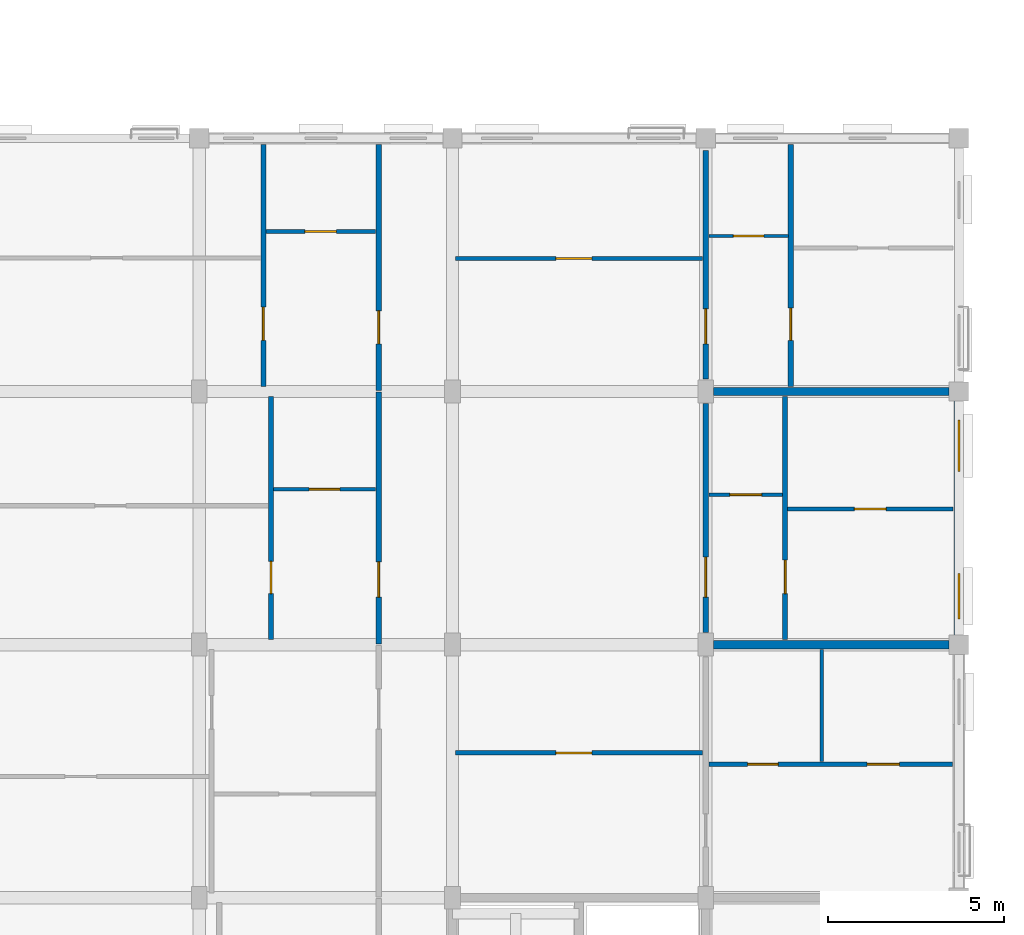
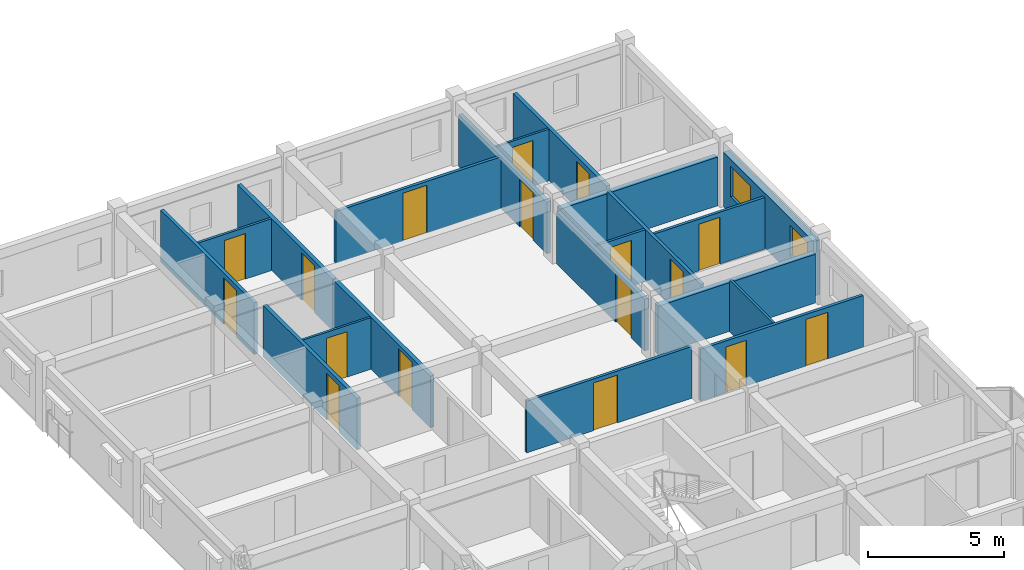
# One storey, part 58 of 75: 20 walls, 17 doors, 2 windows, 19 openings.
"""IFC4 building model written with IfcOpenShell, lengths in metres."""

import ifcopenshell
import ifcopenshell.guid

model = None  # the IFC model being written
_history = None  # IfcOwnerHistory: only IFC2X3 demands one
_inside = {}  # id of a spatial element -> (the spatial element, [elements in it])
_under = {}  # id of a project, library or spatial element -> (it, [spatial elements below it])
_declared = {}  # id of a project -> (the project, [libraries it declares])
_typed = {}  # id of a type object -> (the type object, [elements of that type])
_made_of = {}  # id of a material, layer set ... -> (it, [elements and type objects made of it])


def new_model(schema):
    """Start an empty IFC model of exactly this schema.

    Asked for "IFC4X3", IfcOpenShell would pick the latest addendum, in which some entities
    have other attributes; the version numbers below select the first issue.
    IFC2X3 requires an IfcOwnerHistory on every rooted entity: one is made here for all.
    """
    global model, _history
    if schema == "IFC4X3":
        model = ifcopenshell.file(schema_version=(4, 3, 0, 0))
    else:
        model = ifcopenshell.file(schema=schema)
    _inside.clear()
    _under.clear()
    _declared.clear()
    _typed.clear()
    _made_of.clear()
    _history = None
    if model.schema == "IFC2X3":
        org = make("IfcOrganization", Name="unknown")
        user = make(
            "IfcPersonAndOrganization",
            ThePerson=make("IfcPerson", FamilyName="unknown"),
            TheOrganization=org,
        )
        app = make(
            "IfcApplication",
            ApplicationDeveloper=org,
            Version="unknown",
            ApplicationFullName="unknown",
            ApplicationIdentifier="unknown",
        )
        _history = make(
            "IfcOwnerHistory",
            OwningUser=user,
            OwningApplication=app,
            ChangeAction="ADDED",
            CreationDate=0,
        )
    return model


def make(cls, **values):
    """One entity of the class cls with the attributes given. An attribute that is None is left unset."""
    return model.create_entity(
        cls, **{name: value for name, value in values.items() if value is not None}
    )


def rooted(cls, **values):
    """An entity with a GlobalId (a new one), such as an element, a storey or a relation."""
    return make(cls, GlobalId=ifcopenshell.guid.new(), OwnerHistory=_history, **values)


def si_unit(unit_type, name, prefix=None):
    """IfcSIUnit, for example si_unit("LENGTHUNIT", "METRE", prefix="MILLI")."""
    return make("IfcSIUnit", UnitType=unit_type, Prefix=prefix, Name=name)


def assignment(units):
    """IfcUnitAssignment: the units of a project."""
    return None if units is None else make("IfcUnitAssignment", Units=units)


def point(xyz):
    """IfcCartesianPoint."""
    return None if xyz is None else make("IfcCartesianPoint", Coordinates=xyz)


def direction(xyz):
    """IfcDirection."""
    return None if xyz is None else make("IfcDirection", DirectionRatios=xyz)


def frame(location, z_axis=None, x_axis=None):
    """IfcAxis2Placement3D, a coordinate frame: its origin and axes. An axis left out is left unset."""
    return make(
        "IfcAxis2Placement3D",
        Location=point(location),
        Axis=direction(z_axis),
        RefDirection=direction(x_axis),
    )


def frame_2d(location, x_axis=None):
    """IfcAxis2Placement2D, a coordinate frame in the plane: its origin and x axis."""
    return make(
        "IfcAxis2Placement2D", Location=point(location), RefDirection=direction(x_axis)
    )


def origin():
    """The frame at (0, 0, 0) with its axes left unset."""
    return frame((0.0, 0.0, 0.0))


def place(relative_to, where):
    """IfcLocalPlacement: puts the frame where relative to a parent placement (None: the world)."""
    return make(
        "IfcLocalPlacement", PlacementRelTo=relative_to, RelativePlacement=where
    )


def context(
    kind, dimensions, precision=None, world=None, true_north=None, identifier=None
):
    """IfcGeometricRepresentationContext, for example the 3D "Model" context."""
    return make(
        "IfcGeometricRepresentationContext",
        ContextIdentifier=identifier,
        ContextType=kind,
        CoordinateSpaceDimension=dimensions,
        Precision=precision,
        WorldCoordinateSystem=world,
        TrueNorth=true_north,
    )


def subcontext(parent, identifier, kind, view, scale=None):
    """IfcGeometricRepresentationSubContext, for example "Body" below "Model"."""
    return make(
        "IfcGeometricRepresentationSubContext",
        ContextIdentifier=identifier,
        ContextType=kind,
        ParentContext=parent,
        TargetScale=scale,
        TargetView=view,
    )


def project(units=None, contexts=None):
    """IfcProject with its units and contexts."""
    return rooted(
        "IfcProject",
        Name="project",
        RepresentationContexts=contexts,
        UnitsInContext=assignment(units),
    )


def spatial(cls, under=None, at=None, **own):
    """A site, building, storey or space (cls), placed at a placement, below another one or the project."""
    s = rooted(cls, ObjectPlacement=at, **own)
    if under is not None:
        _under.setdefault(under.id(), (under, []))[1].append(s)
    return s


def profile(cls, at=None, kind="AREA", **sizes):
    """A parametric profile (cls). Its sizes go by their IFC names, for example OverallWidth=200.0."""
    return make(cls, ProfileType=kind, Position=at, **sizes)


def rectangle(**sizes):
    """IfcRectangleProfileDef."""
    return profile("IfcRectangleProfileDef", **sizes)


def extrude(swept, where, along, depth):
    """IfcExtrudedAreaSolid: the profile swept, set in the frame where, extruded along a direction by depth."""
    return make(
        "IfcExtrudedAreaSolid",
        SweptArea=swept,
        Position=where,
        ExtrudedDirection=direction(along),
        Depth=depth,
    )


def shape(context_of_items, identifier, shape_type, items):
    """IfcShapeRepresentation: the items that make up one representation, for example the "Body"."""
    return make(
        "IfcShapeRepresentation",
        ContextOfItems=context_of_items,
        RepresentationIdentifier=identifier,
        RepresentationType=shape_type,
        Items=items,
    )


def material(Name=None, Category=None):
    """IfcMaterial."""
    return make("IfcMaterial", Name=Name, Category=Category)


def layer(
    of_material, thickness, ventilated=None, Name=None, Category=None, Priority=None
):
    """IfcMaterialLayer: one layer of a wall or slab, of a material (None: an air gap)."""
    return make(
        "IfcMaterialLayer",
        Material=of_material,
        LayerThickness=thickness,
        IsVentilated=ventilated,
        Name=Name,
        Category=Category,
        Priority=Priority,
    )


def layer_set(layers, Name=None):
    """IfcMaterialLayerSet."""
    return make("IfcMaterialLayerSet", MaterialLayers=layers, LayerSetName=Name)


def made_of(thing, what):
    """Note that an element or type object is made of a material, layer set ...; save() writes the relation."""
    if what is not None:
        _made_of.setdefault(what.id(), (what, []))[1].append(thing)
    return thing


def type_object(cls, material=None, **own):
    """A type object (cls), such as IfcWallType, which elements share."""
    return made_of(rooted(cls, **own), material)


def element(
    cls,
    number,
    at=None,
    inside=None,
    cuts=None,
    type_object=None,
    material=None,
    context=None,
    identifier="Body",
    shape_type=None,
    held_by="IfcProductDefinitionShape",
    body=None,
    shapes=None,
    **own,
):
    """One element of the class cls, such as IfcWall. Its Tag is "e" and its number.

    at: its placement. inside: the storey or other place that contains it. cuts: it is an
    opening in that element (IfcRelVoidsElement). A single representation is given by context,
    identifier, shape_type and body (its items); several are given by shapes. held_by: the class
    of the entity that holds the representations. save() writes the other relations.
    """
    e = rooted(cls, Tag="e%d" % number, ObjectPlacement=at, **own)
    if body is not None:
        shapes = [shape(context, identifier, shape_type, body)]
    if shapes is not None:
        e.Representation = make(held_by, Representations=shapes)
    if inside is not None:
        _inside.setdefault(inside.id(), (inside, []))[1].append(e)
    if cuts is not None:
        rooted(
            "IfcRelVoidsElement", RelatingBuildingElement=cuts, RelatedOpeningElement=e
        )
    if type_object is not None:
        _typed.setdefault(type_object.id(), (type_object, []))[1].append(e)
    return made_of(e, material)


def fill(opening, filler):
    """IfcRelFillsElement: the door or window that sits in an opening."""
    return rooted(
        "IfcRelFillsElement",
        RelatingOpeningElement=opening,
        RelatedBuildingElement=filler,
    )


def aggregate(whole, parts):
    """IfcRelAggregates: a whole, such as a stair, and the parts it consists of."""
    return rooted("IfcRelAggregates", RelatingObject=whole, RelatedObjects=parts)


def save(model, path):
    """Write the relations noted so far, then the file.

    IfcRelAggregates (storeys below a building ...), IfcRelContainedInSpatialStructure (elements
    in a storey), IfcRelDefinesByType, IfcRelAssociatesMaterial and IfcRelDeclares: one each for
    every whole, place, type object, material and project.
    """
    for whole, parts in _under.values():
        aggregate(whole, parts)
    for where, things in _inside.values():
        rooted(
            "IfcRelContainedInSpatialStructure",
            RelatedElements=things,
            RelatingStructure=where,
        )
    for kind, things in _typed.values():
        rooted("IfcRelDefinesByType", RelatedObjects=things, RelatingType=kind)
    for what, things in _made_of.values():
        rooted("IfcRelAssociatesMaterial", RelatedObjects=things, RelatingMaterial=what)
    for by, libraries in _declared.values():
        rooted("IfcRelDeclares", RelatingContext=by, RelatedDefinitions=libraries)
    model.write(path)


model = new_model("IFC4")

# Units and contexts
model_context = context("Model", 3, precision=1e-05, world=origin(), true_north=direction((0.0, 1.0)))
body_context = subcontext(model_context, "Body", "Model", "MODEL_VIEW")
ifc_project = project(units=[si_unit("LENGTHUNIT", "METRE"), si_unit("AREAUNIT", "SQUARE_METRE"), si_unit("VOLUMEUNIT", "CUBIC_METRE"), si_unit("PLANEANGLEUNIT", "RADIAN"), si_unit("MASSUNIT", "GRAM", prefix="KILO"), si_unit("THERMODYNAMICTEMPERATUREUNIT", "KELVIN"), si_unit("POWERUNIT", "WATT")], contexts=[model_context])

# Site, building, storey
site_placement = place(None, origin())
site = spatial("IfcSite", under=ifc_project, at=site_placement, CompositionType="ELEMENT")
building_placement = place(site_placement, origin())
building = spatial("IfcBuilding", under=site, at=building_placement, Name="Tavuni Mirador Residences", CompositionType="ELEMENT")
storey_placement = place(building_placement, frame((0.0, 0.0, 20.25)))
storey = spatial("IfcBuildingStorey", under=building, at=storey_placement, Name="L06", CompositionType="ELEMENT", Elevation=20.25)

# Wall, opening, door
ifc_material_1 = material(Name="Precast concrete C40/50", Category="concrete")
ifc_layer_1 = layer(ifc_material_1, 0.1650390625, Name="Precast concrete C40/50", Category="concrete")
ifc_layer_set_1 = layer_set([ifc_layer_1], Name="Precast concrete C40/50")
wall_type_1 = type_object("IfcWallType", Name="WT-CORR165", PredefinedType="PARTITIONING", material=ifc_layer_set_1)
wall_1_placement = place(storey_placement, frame((102.300048828125, 122.419921875, 0.0), z_axis=(0.0, 0.0, 1.0), x_axis=(0.0, 1.0, 0.0)))
wall_1 = element("IfcWall", 1, at=wall_1_placement, inside=storey, type_object=wall_type_1, Name="CORW-BLK-D-L06-0-05", PredefinedType="PARTITIONING", context=body_context, shape_type="SweptSolid", body=[
    extrude(rectangle(XDim=7.16015625, YDim=0.1650390625, at=frame_2d((3.580078125, 0.0))), origin(), (0.0, 0.0, 1.0), 2.324951171875),
])
opening_1_placement = place(wall_1_placement, frame((1.330078125, 0.0, 0.0)))
opening_1 = element("IfcOpeningElement", 2, at=opening_1_placement, cuts=wall_1, Name="Opening D-03", PredefinedType="OPENING", context=body_context, shape_type="SweptSolid", body=[
    extrude(rectangle(XDim=1.0, YDim=2.14990234375, at=frame_2d((0.5, 1.074951171875))), frame((0.0, 0.092529296875, 0.0), z_axis=(0.0, -1.0, 0.0), x_axis=(1.0, 0.0, 0.0)), (0.0, 0.0, 1.0), 0.18505859375),
])
ifc_material_2 = material(Name="Solid core iroko timber", Category="wood")
door_type_1 = type_object("IfcDoorType", Name="DT-FD60-1000", OperationType="NOTDEFINED", PredefinedType="DOOR", material=ifc_material_2)
door_1_placement = place(opening_1_placement, origin())
door_1 = element("IfcDoor", 3, at=door_1_placement, inside=storey, type_object=door_type_1, Name="DR-2886", OperationType="SINGLE_SWING_LEFT", OverallHeight=2.14990234375, OverallWidth=1.0, PredefinedType="DOOR", context=body_context, shape_type="SweptSolid", body=[
    extrude(rectangle(XDim=1.0, YDim=2.14990234375, at=frame_2d((0.5, 1.074951171875))), frame((0.0, 0.02490234375, 0.0), z_axis=(0.0, -1.0, 0.0), x_axis=(1.0, 0.0, 0.0)), (0.0, 0.0, 1.0), 0.050048828125),
])
fill(opening_1, door_1)

wall_2_placement = place(storey_placement, frame((102.300048828125, 129.6201171875, 0.0), z_axis=(0.0, 0.0, 1.0), x_axis=(0.0, 1.0, 0.0)))
wall_2 = element("IfcWall", 4, at=wall_2_placement, inside=storey, type_object=wall_type_1, Name="CORW-BLK-D-L06-0-06", PredefinedType="PARTITIONING", context=body_context, shape_type="SweptSolid", body=[
    extrude(rectangle(XDim=7.0048828125, YDim=0.1650390625, at=frame_2d((3.50244140625, 0.0))), origin(), (0.0, 0.0, 1.0), 2.324951171875),
])
opening_2_placement = place(wall_2_placement, frame((1.330078125, 0.0, 0.0)))
opening_2 = element("IfcOpeningElement", 5, at=opening_2_placement, cuts=wall_2, Name="Opening D-19", PredefinedType="OPENING", context=body_context, shape_type="SweptSolid", body=[
    extrude(rectangle(XDim=0.93994140625, YDim=2.1201171875, at=frame_2d((0.469970703125, 1.06005859375))), frame((0.0, 0.092529296875, 0.0), z_axis=(0.0, -1.0, 0.0), x_axis=(1.0, 0.0, 0.0)), (0.0, 0.0, 1.0), 0.18505859375),
])
door_type_2 = type_object("IfcDoorType", Name="DT-FD60-940", OperationType="NOTDEFINED", PredefinedType="DOOR", material=ifc_material_2)
door_2_placement = place(opening_2_placement, origin())
door_2 = element("IfcDoor", 6, at=door_2_placement, inside=storey, type_object=door_type_2, Name="DR-2887", OperationType="SINGLE_SWING_RIGHT", OverallHeight=2.1201171875, OverallWidth=0.93994140625, PredefinedType="DOOR", context=body_context, shape_type="SweptSolid", body=[
    extrude(rectangle(XDim=0.93994140625, YDim=2.1201171875, at=frame_2d((0.469970703125, 1.06005859375))), frame((0.0, 0.02490234375, 0.0), z_axis=(0.0, -1.0, 0.0), x_axis=(1.0, 0.0, 0.0)), (0.0, 0.0, 1.0), 0.050048828125),
])
fill(opening_2, door_2)

wall_3_placement = place(storey_placement, frame((111.60009765625, 122.75, 0.0), z_axis=(0.0, 0.0, 1.0), x_axis=(0.0, 1.0, 0.0)))
wall_3 = element("IfcWall", 7, at=wall_3_placement, inside=storey, type_object=wall_type_1, Name="CORW-BLK-D-L06-1-05", PredefinedType="PARTITIONING", context=body_context, shape_type="SweptSolid", body=[
    extrude(rectangle(XDim=6.5, YDim=0.1650390625, at=frame_2d((3.25, 0.0))), origin(), (0.0, 0.0, 1.0), 2.324951171875),
])
opening_3_placement = place(wall_3_placement, frame((1.0, 0.0, 0.0)))
opening_3 = element("IfcOpeningElement", 8, at=opening_3_placement, cuts=wall_3, Name="Opening D-20", PredefinedType="OPENING", context=body_context, shape_type="SweptSolid", body=[
    extrude(rectangle(XDim=1.139892578125, YDim=2.179931640625, at=frame_2d((0.56982421875, 1.08984375))), frame((0.0, 0.092529296875, 0.0), z_axis=(0.0, -1.0, 0.0), x_axis=(1.0, 0.0, 0.0)), (0.0, 0.0, 1.0), 0.18505859375),
])
door_type_3 = type_object("IfcDoorType", Name="DT-FD60-1140", OperationType="NOTDEFINED", PredefinedType="DOOR", material=ifc_material_2)
door_3_placement = place(opening_3_placement, origin())
door_3 = element("IfcDoor", 9, at=door_3_placement, inside=storey, type_object=door_type_3, Name="DR-2891", OperationType="SINGLE_SWING_RIGHT", OverallHeight=2.179931640625, OverallWidth=1.139892578125, PredefinedType="DOOR", context=body_context, shape_type="SweptSolid", body=[
    extrude(rectangle(XDim=1.139892578125, YDim=2.179931640625, at=frame_2d((0.56982421875, 1.08984375))), frame((0.0, 0.02490234375, 0.0), z_axis=(0.0, -1.0, 0.0), x_axis=(1.0, 0.0, 0.0)), (0.0, 0.0, 1.0), 0.050048828125),
])
fill(opening_3, door_3)

wall_4_placement = place(storey_placement, frame((111.60009765625, 129.949951171875, 0.0), z_axis=(0.0, 0.0, 1.0), x_axis=(0.0, 1.0, 0.0)))
wall_4 = element("IfcWall", 10, at=wall_4_placement, inside=storey, type_object=wall_type_1, Name="CORW-BLK-D-L06-1-06", PredefinedType="PARTITIONING", context=body_context, shape_type="SweptSolid", body=[
    extrude(rectangle(XDim=6.5, YDim=0.1650390625, at=frame_2d((3.25, 0.0))), origin(), (0.0, 0.0, 1.0), 2.324951171875),
])
opening_4_placement = place(wall_4_placement, frame((1.0, 0.0, 0.0)))
opening_4 = element("IfcOpeningElement", 11, at=opening_4_placement, cuts=wall_4, Name="Opening D-03", PredefinedType="OPENING", context=body_context, shape_type="SweptSolid", body=[
    extrude(rectangle(XDim=1.0, YDim=2.14990234375, at=frame_2d((0.5, 1.074951171875))), frame((0.0, 0.092529296875, 0.0), z_axis=(0.0, -1.0, 0.0), x_axis=(1.0, 0.0, 0.0)), (0.0, 0.0, 1.0), 0.18505859375),
])
door_4_placement = place(opening_4_placement, origin())
door_4 = element("IfcDoor", 12, at=door_4_placement, inside=storey, type_object=door_type_1, Name="DR-2892", OperationType="SINGLE_SWING_LEFT", OverallHeight=2.14990234375, OverallWidth=1.0, PredefinedType="DOOR", context=body_context, shape_type="SweptSolid", body=[
    extrude(rectangle(XDim=1.0, YDim=2.14990234375, at=frame_2d((0.5, 1.074951171875))), frame((0.0, 0.02490234375, 0.0), z_axis=(0.0, -1.0, 0.0), x_axis=(1.0, 0.0, 0.0)), (0.0, 0.0, 1.0), 0.050048828125),
])
fill(opening_4, door_4)

# Wall, openings, windows
ifc_material_3 = material(Name="Sgraffito lime-rendered precast concrete C40/50", Category="concrete")
ifc_layer_2 = layer(ifc_material_3, 0.27490234375, Name="Sgraffito lime-rendered precast concrete C40/50", Category="concrete")
ifc_layer_set_2 = layer_set([ifc_layer_2], Name="Sgraffito lime-rendered precast concrete C40/50")
wall_type_2 = type_object("IfcWallType", Name="WT-EXT-PC275", PredefinedType="SOLIDWALL", material=ifc_layer_set_2)
wall_5_placement = place(storey_placement, frame((118.800048828125, 122.675048828125, 0.0), z_axis=(0.0, 0.0, 1.0), x_axis=(0.0, 1.0, 0.0)))
wall_5 = element("IfcWall", 13, at=wall_5_placement, inside=storey, type_object=wall_type_2, Name="EW-BLK-D-L06-E05", PredefinedType="SOLIDWALL", context=body_context, shape_type="SweptSolid", body=[
    extrude(rectangle(XDim=6.64990234375, YDim=0.27490234375, at=frame_2d((3.324951171875, 0.0))), origin(), (0.0, 0.0, 1.0), 2.4599609375),
])
opening_5_placement = place(wall_5_placement, frame((0.449951171875, 0.0, 0.780029296875)))
opening_5 = element("IfcOpeningElement", 14, at=opening_5_placement, cuts=wall_5, Name="Opening WN-22", PredefinedType="OPENING", context=body_context, shape_type="SweptSolid", body=[
    extrude(rectangle(XDim=1.300048828125, YDim=1.360107421875, at=frame_2d((0.64990234375, 0.68017578125))), frame((0.0, 0.1474609375, 0.0), z_axis=(0.0, -1.0, 0.0), x_axis=(1.0, 0.0, 0.0)), (0.0, 0.0, 1.0), 0.294921875),
])
opening_6_placement = place(wall_5_placement, frame((4.64990234375, 0.0, 0.780029296875)))
opening_6 = element("IfcOpeningElement", 15, at=opening_6_placement, cuts=wall_5, Name="Opening WN-24", PredefinedType="OPENING", context=body_context, shape_type="SweptSolid", body=[
    extrude(rectangle(XDim=1.4599609375, YDim=1.360107421875, at=frame_2d((0.72998046875, 0.68017578125))), frame((0.0, 0.1474609375, 0.0), z_axis=(0.0, -1.0, 0.0), x_axis=(1.0, 0.0, 0.0)), (0.0, 0.0, 1.0), 0.294921875),
])
ifc_material_4 = material(Name="Laminated solar-control glass", Category="glass")
window_type_1 = type_object("IfcWindowType", Name="WNT-22", PartitioningType="SINGLE_PANEL", PredefinedType="WINDOW", material=ifc_material_4)
window_1_placement = place(opening_5_placement, origin())
window_1 = element("IfcWindow", 16, at=window_1_placement, inside=storey, type_object=window_type_1, Name="WIN-1665", OverallHeight=1.360107421875, OverallWidth=1.300048828125, PartitioningType="SINGLE_PANEL", PredefinedType="WINDOW", context=body_context, shape_type="SweptSolid", body=[
    extrude(rectangle(XDim=1.300048828125, YDim=1.360107421875, at=frame_2d((0.64990234375, 0.68017578125))), frame((0.0, 0.030029296875, 0.0), z_axis=(0.0, -1.0, 0.0), x_axis=(1.0, 0.0, 0.0)), (0.0, 0.0, 1.0), 0.06005859375),
])
fill(opening_5, window_1)
window_type_2 = type_object("IfcWindowType", Name="WNT-24", PartitioningType="SINGLE_PANEL", PredefinedType="WINDOW", material=ifc_material_4)
window_2_placement = place(opening_6_placement, origin())
window_2 = element("IfcWindow", 17, at=window_2_placement, inside=storey, type_object=window_type_2, Name="WIN-1666", OverallHeight=1.360107421875, OverallWidth=1.4599609375, PartitioningType="SINGLE_PANEL", PredefinedType="WINDOW", context=body_context, shape_type="SweptSolid", body=[
    extrude(rectangle(XDim=1.4599609375, YDim=1.360107421875, at=frame_2d((0.72998046875, 0.68017578125))), frame((0.0, 0.030029296875, 0.0), z_axis=(0.0, -1.0, 0.0), x_axis=(1.0, 0.0, 0.0)), (0.0, 0.0, 1.0), 0.06005859375),
])
fill(opening_6, window_2)

# Wall
ifc_material_5 = material(Name="Acoustic gypsum and concrete block partition", Category="concrete")
ifc_layer_3 = layer(ifc_material_5, 0.094970703125, Name="Acoustic gypsum and concrete block partition", Category="concrete")
ifc_layer_set_3 = layer_set([ifc_layer_3], Name="Acoustic gypsum and concrete block partition")
wall_type_3 = type_object("IfcWallType", Name="WT-PART095", PredefinedType="PARTITIONING", material=ifc_layer_set_3)
wall_6_placement = place(storey_placement, frame((114.89990234375, 119.070068359375, 0.0), z_axis=(0.0, 0.0, 1.0), x_axis=(0.0, 1.0, 0.0)))
element("IfcWall", 18, at=wall_6_placement, inside=storey, type_object=wall_type_3, Name="PW-BLK-D-L06-PF04-V", PredefinedType="PARTITIONING", context=body_context, shape_type="SweptSolid", body=[
    extrude(rectangle(XDim=3.18994140625, YDim=0.094970703125, at=frame_2d((1.594970703125, 0.0))), origin(), (0.0, 0.0, 1.0), 2.324951171875),
])

# Wall, opening, door
wall_7_placement = place(storey_placement, frame((99.31005859375, 126.820068359375, 0.0), z_axis=(0.0, 0.0, 1.0), x_axis=(1.0, 0.0, 0.0)))
wall_7 = element("IfcWall", 19, at=wall_7_placement, inside=storey, type_object=wall_type_3, Name="PW-BLK-D-L06-W05-IN1", PredefinedType="PARTITIONING", context=body_context, shape_type="SweptSolid", body=[
    extrude(rectangle(XDim=2.89990234375, YDim=0.094970703125, at=frame_2d((1.449951171875, 0.0))), origin(), (0.0, 0.0, 1.0), 2.324951171875),
])
opening_7_placement = place(wall_7_placement, frame((1.014892578125, 0.0, 0.0)))
opening_7 = element("IfcOpeningElement", 20, at=opening_7_placement, cuts=wall_7, Name="Opening D-10", PredefinedType="OPENING", context=body_context, shape_type="SweptSolid", body=[
    extrude(rectangle(XDim=0.8701171875, YDim=2.050048828125, at=frame_2d((0.43505859375, 1.02490234375))), frame((0.0, 0.0576171875, 0.0), z_axis=(0.0, -1.0, 0.0), x_axis=(1.0, 0.0, 0.0)), (0.0, 0.0, 1.0), 0.114990234375),
])
door_type_4 = type_object("IfcDoorType", Name="DT-WC870", OperationType="NOTDEFINED", PredefinedType="DOOR", material=ifc_material_2)
door_5_placement = place(opening_7_placement, origin())
door_5 = element("IfcDoor", 21, at=door_5_placement, inside=storey, type_object=door_type_4, Name="DR-4538", OperationType="SINGLE_SWING_LEFT", OverallHeight=2.050048828125, OverallWidth=0.8701171875, PredefinedType="DOOR", context=body_context, shape_type="SweptSolid", body=[
    extrude(rectangle(XDim=0.8701171875, YDim=2.050048828125, at=frame_2d((0.43505859375, 1.02490234375))), frame((0.0, 0.02490234375, 0.0), z_axis=(0.0, -1.0, 0.0), x_axis=(1.0, 0.0, 0.0)), (0.0, 0.0, 1.0), 0.050048828125),
])
fill(opening_7, door_5)

wall_8_placement = place(storey_placement, frame((111.68994140625, 134.02001953125, 0.0), z_axis=(0.0, 0.0, 1.0), x_axis=(1.0, 0.0, 0.0)))
wall_8 = element("IfcWall", 22, at=wall_8_placement, inside=storey, type_object=wall_type_3, Name="PW-BLK-D-L06-E06-IN1", PredefinedType="PARTITIONING", context=body_context, shape_type="SweptSolid", body=[
    extrude(rectangle(XDim=2.260009765625, YDim=0.094970703125, at=frame_2d((1.1298828125, 0.0))), origin(), (0.0, 0.0, 1.0), 2.324951171875),
])
opening_8_placement = place(wall_8_placement, frame((0.695068359375, 0.0, 0.0)))
opening_8 = element("IfcOpeningElement", 23, at=opening_8_placement, cuts=wall_8, Name="Opening D-10", PredefinedType="OPENING", context=body_context, shape_type="SweptSolid", body=[
    extrude(rectangle(XDim=0.8701171875, YDim=2.050048828125, at=frame_2d((0.43505859375, 1.02490234375))), frame((0.0, 0.0576171875, 0.0), z_axis=(0.0, -1.0, 0.0), x_axis=(1.0, 0.0, 0.0)), (0.0, 0.0, 1.0), 0.114990234375),
])
door_6_placement = place(opening_8_placement, origin())
door_6 = element("IfcDoor", 24, at=door_6_placement, inside=storey, type_object=door_type_4, Name="DR-4548", OperationType="SINGLE_SWING_LEFT", OverallHeight=2.050048828125, OverallWidth=0.8701171875, PredefinedType="DOOR", context=body_context, shape_type="SweptSolid", body=[
    extrude(rectangle(XDim=0.8701171875, YDim=2.050048828125, at=frame_2d((0.43505859375, 1.02490234375))), frame((0.0, 0.02490234375, 0.0), z_axis=(0.0, -1.0, 0.0), x_axis=(1.0, 0.0, 0.0)), (0.0, 0.0, 1.0), 0.050048828125),
])
fill(opening_8, door_6)

ifc_layer_4 = layer(ifc_material_5, 0.10498046875, Name="Acoustic gypsum and concrete block partition", Category="concrete")
ifc_layer_set_4 = layer_set([ifc_layer_4], Name="Acoustic gypsum and concrete block partition")
wall_type_4 = type_object("IfcWallType", Name="WT-PART105", PredefinedType="PARTITIONING", material=ifc_layer_set_4)
wall_9_placement = place(storey_placement, frame((111.68994140625, 126.659912109375, 0.0), z_axis=(0.0, 0.0, 1.0), x_axis=(1.0, 0.0, 0.0)))
wall_9 = element("IfcWall", 25, at=wall_9_placement, inside=storey, type_object=wall_type_4, Name="PW-BLK-D-L06-E05-IN1", PredefinedType="PARTITIONING", context=body_context, shape_type="SweptSolid", body=[
    extrude(rectangle(XDim=2.10009765625, YDim=0.10498046875, at=frame_2d((1.050048828125, 0.0))), origin(), (0.0, 0.0, 1.0), 2.324951171875),
])
opening_9_placement = place(wall_9_placement, frame((0.60009765625, 0.0, 0.0)))
opening_9 = element("IfcOpeningElement", 26, at=opening_9_placement, cuts=wall_9, Name="Opening D-09", PredefinedType="OPENING", context=body_context, shape_type="SweptSolid", body=[
    extrude(rectangle(XDim=0.89990234375, YDim=2.050048828125, at=frame_2d((0.449951171875, 1.02490234375))), frame((0.0, 0.0625, 0.0), z_axis=(0.0, -1.0, 0.0), x_axis=(1.0, 0.0, 0.0)), (0.0, 0.0, 1.0), 0.125),
])
door_type_5 = type_object("IfcDoorType", Name="DT-WC900", OperationType="NOTDEFINED", PredefinedType="DOOR", material=ifc_material_2)
door_7_placement = place(opening_9_placement, origin())
door_7 = element("IfcDoor", 27, at=door_7_placement, inside=storey, type_object=door_type_5, Name="DR-4541", OperationType="SINGLE_SWING_RIGHT", OverallHeight=2.050048828125, OverallWidth=0.89990234375, PredefinedType="DOOR", context=body_context, shape_type="SweptSolid", body=[
    extrude(rectangle(XDim=0.89990234375, YDim=2.050048828125, at=frame_2d((0.449951171875, 1.02490234375))), frame((0.0, 0.02490234375, 0.0), z_axis=(0.0, -1.0, 0.0), x_axis=(1.0, 0.0, 0.0)), (0.0, 0.0, 1.0), 0.050048828125),
])
fill(opening_9, door_7)

wall_10_placement = place(storey_placement, frame((99.090087890625, 134.14990234375, 0.0), z_axis=(0.0, 0.0, 1.0), x_axis=(1.0, 0.0, 0.0)))
wall_10 = element("IfcWall", 28, at=wall_10_placement, inside=storey, type_object=wall_type_4, Name="PW-BLK-D-L06-W06-IN1", PredefinedType="PARTITIONING", context=body_context, shape_type="SweptSolid", body=[
    extrude(rectangle(XDim=3.119873046875, YDim=0.10498046875, at=frame_2d((1.56005859375, 0.0))), origin(), (0.0, 0.0, 1.0), 2.324951171875),
])
opening_10_placement = place(wall_10_placement, frame((1.110107421875, 0.0, 0.0)))
opening_10 = element("IfcOpeningElement", 29, at=opening_10_placement, cuts=wall_10, Name="Opening D-09", PredefinedType="OPENING", context=body_context, shape_type="SweptSolid", body=[
    extrude(rectangle(XDim=0.89990234375, YDim=2.050048828125, at=frame_2d((0.449951171875, 1.02490234375))), frame((0.0, 0.0625, 0.0), z_axis=(0.0, -1.0, 0.0), x_axis=(1.0, 0.0, 0.0)), (0.0, 0.0, 1.0), 0.125),
])
door_8_placement = place(opening_10_placement, origin())
door_8 = element("IfcDoor", 30, at=door_8_placement, inside=storey, type_object=door_type_5, Name="DR-4545", OperationType="SINGLE_SWING_RIGHT", OverallHeight=2.050048828125, OverallWidth=0.89990234375, PredefinedType="DOOR", context=body_context, shape_type="SweptSolid", body=[
    extrude(rectangle(XDim=0.89990234375, YDim=2.050048828125, at=frame_2d((0.449951171875, 1.02490234375))), frame((0.0, 0.02490234375, 0.0), z_axis=(0.0, -1.0, 0.0), x_axis=(1.0, 0.0, 0.0)), (0.0, 0.0, 1.0), 0.050048828125),
])
fill(opening_10, door_8)

ifc_layer_5 = layer(ifc_material_5, 0.114990234375, Name="Acoustic gypsum and concrete block partition", Category="concrete")
ifc_layer_set_5 = layer_set([ifc_layer_5], Name="Acoustic gypsum and concrete block partition")
wall_type_5 = type_object("IfcWallType", Name="WT-PART115", PredefinedType="PARTITIONING", material=ifc_layer_set_5)
wall_11_placement = place(storey_placement, frame((113.929931640625, 126.260009765625, 0.0), z_axis=(0.0, 0.0, 1.0), x_axis=(1.0, 0.0, 0.0)))
wall_11 = element("IfcWall", 31, at=wall_11_placement, inside=storey, type_object=wall_type_5, Name="PW-BLK-D-L06-E05-OUT", PredefinedType="PARTITIONING", context=body_context, shape_type="SweptSolid", body=[
    extrude(rectangle(XDim=4.695068359375, YDim=0.114990234375, at=frame_2d((2.34765625, 0.0))), origin(), (0.0, 0.0, 1.0), 2.324951171875),
])
opening_11_placement = place(wall_11_placement, frame((1.8974609375, 0.0, 0.0)))
opening_11 = element("IfcOpeningElement", 32, at=opening_11_placement, cuts=wall_11, Name="Opening D-07", PredefinedType="OPENING", context=body_context, shape_type="SweptSolid", body=[
    extrude(rectangle(XDim=0.89990234375, YDim=2.10009765625, at=frame_2d((0.449951171875, 1.050048828125))), frame((0.0, 0.0673828125, 0.0), z_axis=(0.0, -1.0, 0.0), x_axis=(1.0, 0.0, 0.0)), (0.0, 0.0, 1.0), 0.135009765625),
])
door_type_6 = type_object("IfcDoorType", Name="DT-BED900", OperationType="NOTDEFINED", PredefinedType="DOOR", material=ifc_material_2)
door_9_placement = place(opening_11_placement, origin())
door_9 = element("IfcDoor", 33, at=door_9_placement, inside=storey, type_object=door_type_6, Name="DR-4540", OperationType="SINGLE_SWING_LEFT", OverallHeight=2.10009765625, OverallWidth=0.89990234375, PredefinedType="DOOR", context=body_context, shape_type="SweptSolid", body=[
    extrude(rectangle(XDim=0.89990234375, YDim=2.10009765625, at=frame_2d((0.449951171875, 1.050048828125))), frame((0.0, 0.02490234375, 0.0), z_axis=(0.0, -1.0, 0.0), x_axis=(1.0, 0.0, 0.0)), (0.0, 0.0, 1.0), 0.050048828125),
])
fill(opening_11, door_9)

ifc_layer_6 = layer(ifc_material_5, 0.125, Name="Acoustic gypsum and concrete block partition", Category="concrete")
ifc_layer_set_6 = layer_set([ifc_layer_6], Name="Acoustic gypsum and concrete block partition")
wall_type_6 = type_object("IfcWallType", Name="WT-PART125", PredefinedType="PARTITIONING", material=ifc_layer_set_6)
wall_12_placement = place(storey_placement, frame((104.489990234375, 119.320068359375, 0.0), z_axis=(0.0, 0.0, 1.0), x_axis=(1.0, 0.0, 0.0)))
wall_12 = element("IfcWall", 34, at=wall_12_placement, inside=storey, type_object=wall_type_6, Name="PW-SPN-BLK-D-L06-04", PredefinedType="PARTITIONING", context=body_context, shape_type="SweptSolid", body=[
    extrude(rectangle(XDim=7.02001953125, YDim=0.125, at=frame_2d((3.510009765625, 0.0))), origin(), (0.0, 0.0, 1.0), 2.324951171875),
])
opening_12_placement = place(wall_12_placement, frame((2.85009765625, 0.0, 0.0)))
opening_12 = element("IfcOpeningElement", 35, at=opening_12_placement, cuts=wall_12, Name="Opening D-13", PredefinedType="OPENING", context=body_context, shape_type="SweptSolid", body=[
    extrude(rectangle(XDim=1.02001953125, YDim=2.14990234375, at=frame_2d((0.510009765625, 1.074951171875))), frame((0.0, 0.072509765625, 0.0), z_axis=(0.0, -1.0, 0.0), x_axis=(1.0, 0.0, 0.0)), (0.0, 0.0, 1.0), 0.14501953125),
])
door_type_7 = type_object("IfcDoorType", Name="DT-MTG1020", OperationType="NOTDEFINED", PredefinedType="DOOR", material=ifc_material_2)
door_10_placement = place(opening_12_placement, origin())
door_10 = element("IfcDoor", 36, at=door_10_placement, inside=storey, type_object=door_type_7, Name="DR-4531", OperationType="SINGLE_SWING_LEFT", OverallHeight=2.14990234375, OverallWidth=1.02001953125, PredefinedType="DOOR", context=body_context, shape_type="SweptSolid", body=[
    extrude(rectangle(XDim=1.02001953125, YDim=2.14990234375, at=frame_2d((0.510009765625, 1.074951171875))), frame((0.0, 0.02490234375, 0.0), z_axis=(0.0, -1.0, 0.0), x_axis=(1.0, 0.0, 0.0)), (0.0, 0.0, 1.0), 0.050048828125),
])
fill(opening_12, door_10)

# Wall, openings, doors
wall_13_placement = place(storey_placement, frame((111.68994140625, 119.0, 0.0), z_axis=(0.0, 0.0, 1.0), x_axis=(1.0, 0.0, 0.0)))
wall_13 = element("IfcWall", 37, at=wall_13_placement, inside=storey, type_object=wall_type_6, Name="PW-BLK-D-L06-PF04-H", PredefinedType="PARTITIONING", context=body_context, shape_type="SweptSolid", body=[
    extrude(rectangle(XDim=6.93505859375, YDim=0.125, at=frame_2d((3.467529296875, 0.0))), origin(), (0.0, 0.0, 1.0), 2.324951171875),
])
opening_13_placement = place(wall_13_placement, frame((1.10009765625, 0.0, 0.0)))
opening_13 = element("IfcOpeningElement", 38, at=opening_13_placement, cuts=wall_13, Name="Opening D-10", PredefinedType="OPENING", context=body_context, shape_type="SweptSolid", body=[
    extrude(rectangle(XDim=0.8701171875, YDim=2.050048828125, at=frame_2d((0.43505859375, 1.02490234375))), frame((0.0, 0.072509765625, 0.0), z_axis=(0.0, -1.0, 0.0), x_axis=(1.0, 0.0, 0.0)), (0.0, 0.0, 1.0), 0.14501953125),
])
opening_14_placement = place(wall_13_placement, frame((4.5, 0.0, 0.0)))
opening_14 = element("IfcOpeningElement", 39, at=opening_14_placement, cuts=wall_13, Name="Opening D-06", PredefinedType="OPENING", context=body_context, shape_type="SweptSolid", body=[
    extrude(rectangle(XDim=0.919921875, YDim=2.10009765625, at=frame_2d((0.4599609375, 1.050048828125))), frame((0.0, 0.072509765625, 0.0), z_axis=(0.0, -1.0, 0.0), x_axis=(1.0, 0.0, 0.0)), (0.0, 0.0, 1.0), 0.14501953125),
])
door_type_8 = type_object("IfcDoorType", Name="DT-INT920", OperationType="NOTDEFINED", PredefinedType="DOOR", material=ifc_material_2)
door_11_placement = place(opening_14_placement, origin())
door_11 = element("IfcDoor", 40, at=door_11_placement, inside=storey, type_object=door_type_8, Name="DR-4536", OperationType="SINGLE_SWING_RIGHT", OverallHeight=2.10009765625, OverallWidth=0.919921875, PredefinedType="DOOR", context=body_context, shape_type="SweptSolid", body=[
    extrude(rectangle(XDim=0.919921875, YDim=2.10009765625, at=frame_2d((0.4599609375, 1.050048828125))), frame((0.0, 0.02490234375, 0.0), z_axis=(0.0, -1.0, 0.0), x_axis=(1.0, 0.0, 0.0)), (0.0, 0.0, 1.0), 0.050048828125),
])
fill(opening_14, door_11)
door_12_placement = place(opening_13_placement, origin())
door_12 = element("IfcDoor", 41, at=door_12_placement, inside=storey, type_object=door_type_4, Name="DR-4535", OperationType="SINGLE_SWING_LEFT", OverallHeight=2.050048828125, OverallWidth=0.8701171875, PredefinedType="DOOR", context=body_context, shape_type="SweptSolid", body=[
    extrude(rectangle(XDim=0.8701171875, YDim=2.050048828125, at=frame_2d((0.43505859375, 1.02490234375))), frame((0.0, 0.02490234375, 0.0), z_axis=(0.0, -1.0, 0.0), x_axis=(1.0, 0.0, 0.0)), (0.0, 0.0, 1.0), 0.050048828125),
])
fill(opening_13, door_12)

# Wall, opening, door
wall_14_placement = place(storey_placement, frame((104.489990234375, 133.3798828125, 0.0), z_axis=(0.0, 0.0, 1.0), x_axis=(1.0, 0.0, 0.0)))
wall_14 = element("IfcWall", 42, at=wall_14_placement, inside=storey, type_object=wall_type_6, Name="PW-SPN-BLK-D-L06-06", PredefinedType="PARTITIONING", context=body_context, shape_type="SweptSolid", body=[
    extrude(rectangle(XDim=7.02001953125, YDim=0.125, at=frame_2d((3.510009765625, 0.0))), origin(), (0.0, 0.0, 1.0), 2.324951171875),
])
opening_15_placement = place(wall_14_placement, frame((2.85009765625, 0.0, 0.0)))
opening_15 = element("IfcOpeningElement", 43, at=opening_15_placement, cuts=wall_14, Name="Opening D-13", PredefinedType="OPENING", context=body_context, shape_type="SweptSolid", body=[
    extrude(rectangle(XDim=1.02001953125, YDim=2.14990234375, at=frame_2d((0.510009765625, 1.074951171875))), frame((0.0, 0.072509765625, 0.0), z_axis=(0.0, -1.0, 0.0), x_axis=(1.0, 0.0, 0.0)), (0.0, 0.0, 1.0), 0.14501953125),
])
door_13_placement = place(opening_15_placement, origin())
door_13 = element("IfcDoor", 44, at=door_13_placement, inside=storey, type_object=door_type_7, Name="DR-4543", OperationType="SINGLE_SWING_LEFT", OverallHeight=2.14990234375, OverallWidth=1.02001953125, PredefinedType="DOOR", context=body_context, shape_type="SweptSolid", body=[
    extrude(rectangle(XDim=1.02001953125, YDim=2.14990234375, at=frame_2d((0.510009765625, 1.074951171875))), frame((0.0, 0.02490234375, 0.0), z_axis=(0.0, -1.0, 0.0), x_axis=(1.0, 0.0, 0.0)), (0.0, 0.0, 1.0), 0.050048828125),
])
fill(opening_15, door_13)

ifc_layer_7 = layer(ifc_material_5, 0.139892578125, Name="Acoustic gypsum and concrete block partition", Category="concrete")
ifc_layer_set_7 = layer_set([ifc_layer_7], Name="Acoustic gypsum and concrete block partition")
wall_type_7 = type_object("IfcWallType", Name="WT-PART140", PredefinedType="PARTITIONING", material=ifc_layer_set_7)
wall_15_placement = place(storey_placement, frame((113.860107421875, 122.5400390625, 0.0), z_axis=(0.0, 0.0, 1.0), x_axis=(0.0, 1.0, 0.0)))
wall_15 = element("IfcWall", 45, at=wall_15_placement, inside=storey, type_object=wall_type_7, Name="PW-BLK-D-L06-E05-MID", PredefinedType="PARTITIONING", context=body_context, shape_type="SweptSolid", body=[
    extrude(rectangle(XDim=6.919921875, YDim=0.139892578125, at=frame_2d((3.4599609375, 0.0))), origin(), (0.0, 0.0, 1.0), 2.324951171875),
])
opening_16_placement = place(wall_15_placement, frame((1.31005859375, 0.0, 0.0)))
opening_16 = element("IfcOpeningElement", 46, at=opening_16_placement, cuts=wall_15, Name="Opening D-05", PredefinedType="OPENING", context=body_context, shape_type="SweptSolid", body=[
    extrude(rectangle(XDim=0.949951171875, YDim=2.10009765625, at=frame_2d((0.47509765625, 1.050048828125))), frame((0.0, 0.080078125, 0.0), z_axis=(0.0, -1.0, 0.0), x_axis=(1.0, 0.0, 0.0)), (0.0, 0.0, 1.0), 0.159912109375),
])
door_type_9 = type_object("IfcDoorType", Name="DT-INT950", OperationType="NOTDEFINED", PredefinedType="DOOR", material=ifc_material_2)
door_14_placement = place(opening_16_placement, origin())
door_14 = element("IfcDoor", 47, at=door_14_placement, inside=storey, type_object=door_type_9, Name="DR-4542", OperationType="SINGLE_SWING_LEFT", OverallHeight=2.10009765625, OverallWidth=0.949951171875, PredefinedType="DOOR", context=body_context, shape_type="SweptSolid", body=[
    extrude(rectangle(XDim=0.949951171875, YDim=2.10009765625, at=frame_2d((0.47509765625, 1.050048828125))), frame((0.0, 0.02490234375, 0.0), z_axis=(0.0, -1.0, 0.0), x_axis=(1.0, 0.0, 0.0)), (0.0, 0.0, 1.0), 0.050048828125),
])
fill(opening_16, door_14)

wall_16_placement = place(storey_placement, frame((99.02001953125, 129.739990234375, 0.0), z_axis=(0.0, 0.0, 1.0), x_axis=(0.0, 1.0, 0.0)))
wall_16 = element("IfcWall", 48, at=wall_16_placement, inside=storey, type_object=wall_type_7, Name="PW-BLK-D-L06-W06-MID", PredefinedType="PARTITIONING", context=body_context, shape_type="SweptSolid", body=[
    extrude(rectangle(XDim=6.885009765625, YDim=0.139892578125, at=frame_2d((3.4423828125, 0.0))), origin(), (0.0, 0.0, 1.0), 2.324951171875),
])
opening_17_placement = place(wall_16_placement, frame((1.31005859375, 0.0, 0.0)))
opening_17 = element("IfcOpeningElement", 49, at=opening_17_placement, cuts=wall_16, Name="Opening D-05", PredefinedType="OPENING", context=body_context, shape_type="SweptSolid", body=[
    extrude(rectangle(XDim=0.949951171875, YDim=2.10009765625, at=frame_2d((0.47509765625, 1.050048828125))), frame((0.0, 0.080078125, 0.0), z_axis=(0.0, -1.0, 0.0), x_axis=(1.0, 0.0, 0.0)), (0.0, 0.0, 1.0), 0.159912109375),
])
door_15_placement = place(opening_17_placement, origin())
door_15 = element("IfcDoor", 50, at=door_15_placement, inside=storey, type_object=door_type_9, Name="DR-4546", OperationType="SINGLE_SWING_LEFT", OverallHeight=2.10009765625, OverallWidth=0.949951171875, PredefinedType="DOOR", context=body_context, shape_type="SweptSolid", body=[
    extrude(rectangle(XDim=0.949951171875, YDim=2.10009765625, at=frame_2d((0.47509765625, 1.050048828125))), frame((0.0, 0.02490234375, 0.0), z_axis=(0.0, -1.0, 0.0), x_axis=(1.0, 0.0, 0.0)), (0.0, 0.0, 1.0), 0.050048828125),
])
fill(opening_17, door_15)

ifc_layer_8 = layer(ifc_material_5, 0.14990234375, Name="Acoustic gypsum and concrete block partition", Category="concrete")
ifc_layer_set_8 = layer_set([ifc_layer_8], Name="Acoustic gypsum and concrete block partition")
wall_type_8 = type_object("IfcWallType", Name="WT-PART150", PredefinedType="PARTITIONING", material=ifc_layer_set_8)
wall_17_placement = place(storey_placement, frame((99.239990234375, 122.5400390625, 0.0), z_axis=(0.0, 0.0, 1.0), x_axis=(0.0, 1.0, 0.0)))
wall_17 = element("IfcWall", 51, at=wall_17_placement, inside=storey, type_object=wall_type_8, Name="PW-BLK-D-L06-W05-MID", PredefinedType="PARTITIONING", context=body_context, shape_type="SweptSolid", body=[
    extrude(rectangle(XDim=6.919921875, YDim=0.14990234375, at=frame_2d((3.4599609375, 0.0))), origin(), (0.0, 0.0, 1.0), 2.324951171875),
])
opening_18_placement = place(wall_17_placement, frame((1.31005859375, 0.0, 0.0)))
opening_18 = element("IfcOpeningElement", 52, at=opening_18_placement, cuts=wall_17, Name="Opening D-06", PredefinedType="OPENING", context=body_context, shape_type="SweptSolid", body=[
    extrude(rectangle(XDim=0.919921875, YDim=2.10009765625, at=frame_2d((0.4599609375, 1.050048828125))), frame((0.0, 0.0849609375, 0.0), z_axis=(0.0, -1.0, 0.0), x_axis=(1.0, 0.0, 0.0)), (0.0, 0.0, 1.0), 0.169921875),
])
door_16_placement = place(opening_18_placement, origin())
door_16 = element("IfcDoor", 53, at=door_16_placement, inside=storey, type_object=door_type_8, Name="DR-4539", OperationType="SINGLE_SWING_RIGHT", OverallHeight=2.10009765625, OverallWidth=0.919921875, PredefinedType="DOOR", context=body_context, shape_type="SweptSolid", body=[
    extrude(rectangle(XDim=0.919921875, YDim=2.10009765625, at=frame_2d((0.4599609375, 1.050048828125))), frame((0.0, 0.02490234375, 0.0), z_axis=(0.0, -1.0, 0.0), x_axis=(1.0, 0.0, 0.0)), (0.0, 0.0, 1.0), 0.050048828125),
])
fill(opening_18, door_16)

wall_18_placement = place(storey_placement, frame((114.02001953125, 129.739990234375, 0.0), z_axis=(0.0, 0.0, 1.0), x_axis=(0.0, 1.0, 0.0)))
wall_18 = element("IfcWall", 54, at=wall_18_placement, inside=storey, type_object=wall_type_8, Name="PW-BLK-D-L06-E06-MID", PredefinedType="PARTITIONING", context=body_context, shape_type="SweptSolid", body=[
    extrude(rectangle(XDim=6.885009765625, YDim=0.14990234375, at=frame_2d((3.4423828125, 0.0))), origin(), (0.0, 0.0, 1.0), 2.324951171875),
])
opening_19_placement = place(wall_18_placement, frame((1.31005859375, 0.0, 0.0)))
opening_19 = element("IfcOpeningElement", 55, at=opening_19_placement, cuts=wall_18, Name="Opening D-06", PredefinedType="OPENING", context=body_context, shape_type="SweptSolid", body=[
    extrude(rectangle(XDim=0.919921875, YDim=2.10009765625, at=frame_2d((0.4599609375, 1.050048828125))), frame((0.0, 0.0849609375, 0.0), z_axis=(0.0, -1.0, 0.0), x_axis=(1.0, 0.0, 0.0)), (0.0, 0.0, 1.0), 0.169921875),
])
door_17_placement = place(opening_19_placement, origin())
door_17 = element("IfcDoor", 56, at=door_17_placement, inside=storey, type_object=door_type_8, Name="DR-4549", OperationType="SINGLE_SWING_RIGHT", OverallHeight=2.10009765625, OverallWidth=0.919921875, PredefinedType="DOOR", context=body_context, shape_type="SweptSolid", body=[
    extrude(rectangle(XDim=0.919921875, YDim=2.10009765625, at=frame_2d((0.4599609375, 1.050048828125))), frame((0.0, 0.02490234375, 0.0), z_axis=(0.0, -1.0, 0.0), x_axis=(1.0, 0.0, 0.0)), (0.0, 0.0, 1.0), 0.050048828125),
])
fill(opening_19, door_17)

# Walls
ifc_layer_9 = layer(ifc_material_1, 0.235107421875, Name="Precast concrete C40/50", Category="concrete")
ifc_layer_set_9 = layer_set([ifc_layer_9], Name="Precast concrete C40/50")
wall_type_9 = type_object("IfcWallType", Name="WT-XW235", PredefinedType="SOLIDWALL", material=ifc_layer_set_9)
for number, where, z_axis, x_axis, name in (
    (57, (111.824951171875, 122.39990234375, 0.0), (0.0, 0.0, 1.0), (1.0, 0.0, 0.0), "XW-BLK-D-L06-E-05"),
    (58, (111.824951171875, 129.60009765625, 0.0), (0.0, 0.0, 1.0), (1.0, 0.0, 0.0), "XW-BLK-D-L06-E-06"),
):
    element("IfcWall", number, at=place(storey_placement, frame(where, z_axis=z_axis, x_axis=x_axis)), inside=storey, type_object=wall_type_9, Name=name, PredefinedType="SOLIDWALL", context=body_context, shape_type="SweptSolid", body=[
        extrude(rectangle(XDim=6.699951171875, YDim=0.235107421875, at=frame_2d((3.35009765625, 0.0))), origin(), (0.0, 0.0, 1.0), 2.18994140625),
    ])

save(model, "model.ifc")
